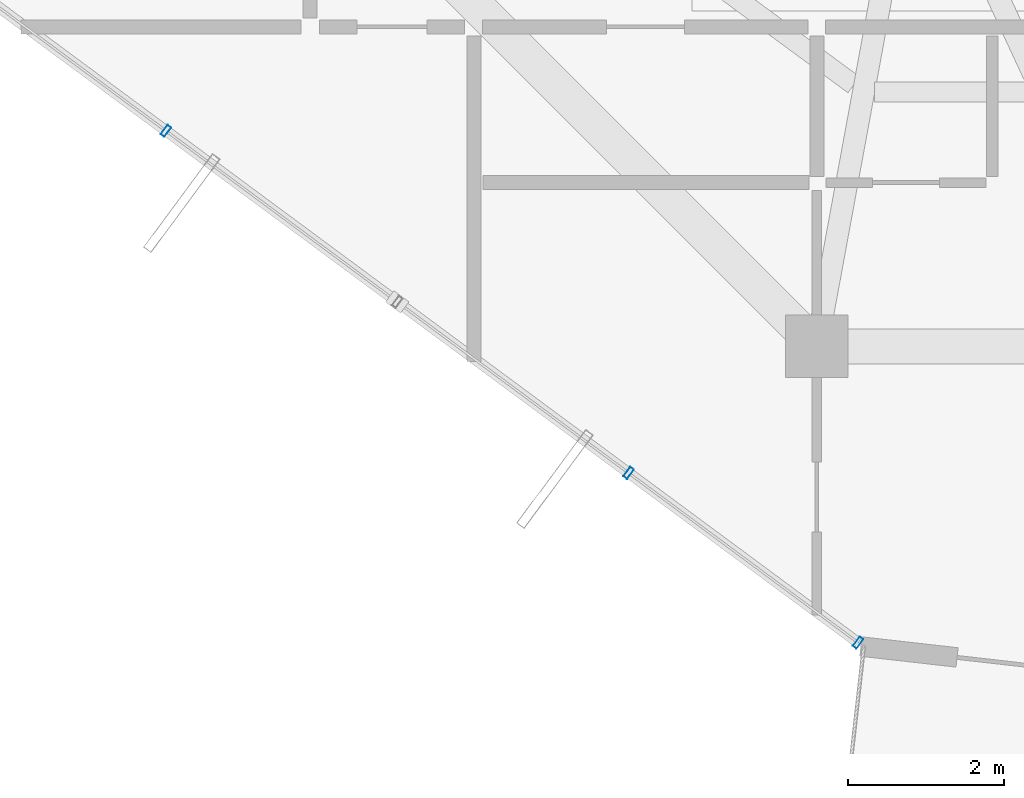
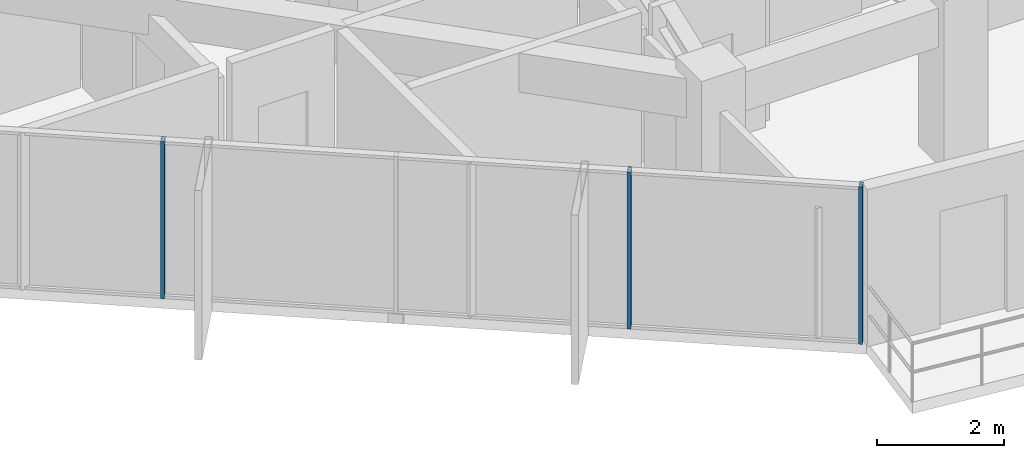
# One storey, part 4 of 30: 3 members, 1 element without a shape of its own.
"""IFC4 building model written with IfcOpenShell, lengths in metres."""

from ifc_helpers import new_model, si_unit, direction, frame, origin, origin_2d, place, context, subcontext, project, spatial, hollow_rectangle, extrude, source, transform, mapped, material, layer, layer_set, material_profile, profile_set, type_object, element, aggregate, save


model = new_model("IFC4")

# Units and contexts
model_context = context("Model", 3, precision=1e-05, world=origin(), true_north=direction((0.0, 1.0)))
body_context = subcontext(model_context, "Body", "Model", "MODEL_VIEW")
ifc_project = project(units=[si_unit("LENGTHUNIT", "METRE"), si_unit("AREAUNIT", "SQUARE_METRE"), si_unit("VOLUMEUNIT", "CUBIC_METRE"), si_unit("PLANEANGLEUNIT", "RADIAN"), si_unit("MASSUNIT", "GRAM", prefix="KILO")], contexts=[model_context])

# Site, building, storey
site_placement = place(None, origin())
site = spatial("IfcSite", under=ifc_project, at=site_placement, CompositionType="ELEMENT")
building_placement = place(site_placement, origin())
building = spatial("IfcBuilding", under=site, at=building_placement, Name="Veraguas Prism Commons", CompositionType="ELEMENT")
storey_placement = place(building_placement, frame((0.0, 0.0, 230.050048828125)))
storey = spatial("IfcBuildingStorey", under=building, at=storey_placement, Name="L65", CompositionType="ELEMENT", Elevation=230.050048828125)

# Curtain wall, members
ifc_material = material(Name="Anodised aluminium EN AW-6063 T6", Category="aluminium")
ifc_layer = layer(ifc_material, 0.14990234375, Name="Unitised Flush Curtain Wall Zone 4", Category="aluminium")
ifc_layer_set = layer_set([ifc_layer], Name="Anodised aluminium EN AW-6063 T6")
curtain_wall_type = type_object("IfcCurtainWallType", Name="Unitised Flush Curtain Wall Zone 4", PredefinedType="NOTDEFINED", material=ifc_layer_set)
curtain_wall_placement = place(storey_placement, origin())
curtain_wall = element("IfcCurtainWall", 1, at=curtain_wall_placement, inside=storey, type_object=curtain_wall_type, Name="Tower Facade Curtain Wall L65-F4", PredefinedType="NOTDEFINED")
ifc_material_profile = material_profile(ifc_material, hollow_rectangle(XDim=0.06005859375, YDim=0.14990234375, WallThickness=0.0029296875, at=origin_2d()), Name="AL60X150X3")
ifc_profile_set = profile_set([ifc_material_profile], Name="Anodised aluminium EN AW-6063 T6")
member_type = type_object("IfcMemberType", Name="Curtain Wall Mullion Upper AL 60x150x3", PredefinedType="MULLION", material=ifc_profile_set)
shared_shape = source(origin(), body_context, "Body", "SweptSolid", [
    extrude(hollow_rectangle(XDim=0.06005859375, YDim=0.14990234375, WallThickness=0.0029296875, at=origin_2d()), origin(), (0.0, 0.0, 1.0), 3.014892578125),
])
member_1_placement = place(storey_placement, frame((11.248779296875, 12.96435546875, 0.0), z_axis=(0.0, 0.0, 1.0), x_axis=(0.804067556966, -0.59453794146, 0.0)))
member_1 = element("IfcMember", 2, at=member_1_placement, type_object=member_type, Name="CW-Z4 Mullion 2", PredefinedType="MULLION", context=body_context, shape_type="MappedRepresentation", body=[
    mapped(shared_shape, transform((0.0, 0.0, 0.0), scale=1.0)),
])
member_2_placement = place(storey_placement, frame((17.185302734375, 8.57470703125, 0.0), z_axis=(0.0, 0.0, 1.0), x_axis=(0.804067556966, -0.59453794146, 0.0)))
member_2 = element("IfcMember", 3, at=member_2_placement, type_object=member_type, Name="CW-Z4 Mullion 4", PredefinedType="MULLION", context=body_context, shape_type="MappedRepresentation", body=[
    mapped(shared_shape, transform((0.0, 0.0, 0.0), scale=1.0)),
])
member_3_placement = place(storey_placement, frame((20.129638671875, 6.397705078125, 0.0), z_axis=(0.0, 0.0, 1.0), x_axis=(0.804067556966, -0.59453794146, 0.0)))
member_3 = element("IfcMember", 4, at=member_3_placement, type_object=member_type, Name="CW-Z4 Mullion 5", PredefinedType="MULLION", context=body_context, shape_type="MappedRepresentation", body=[
    mapped(shared_shape, transform((0.0, 0.0, 0.0), scale=1.0)),
])
aggregate(curtain_wall, [member_1, member_2, member_3])

save(model, "model.ifc")
